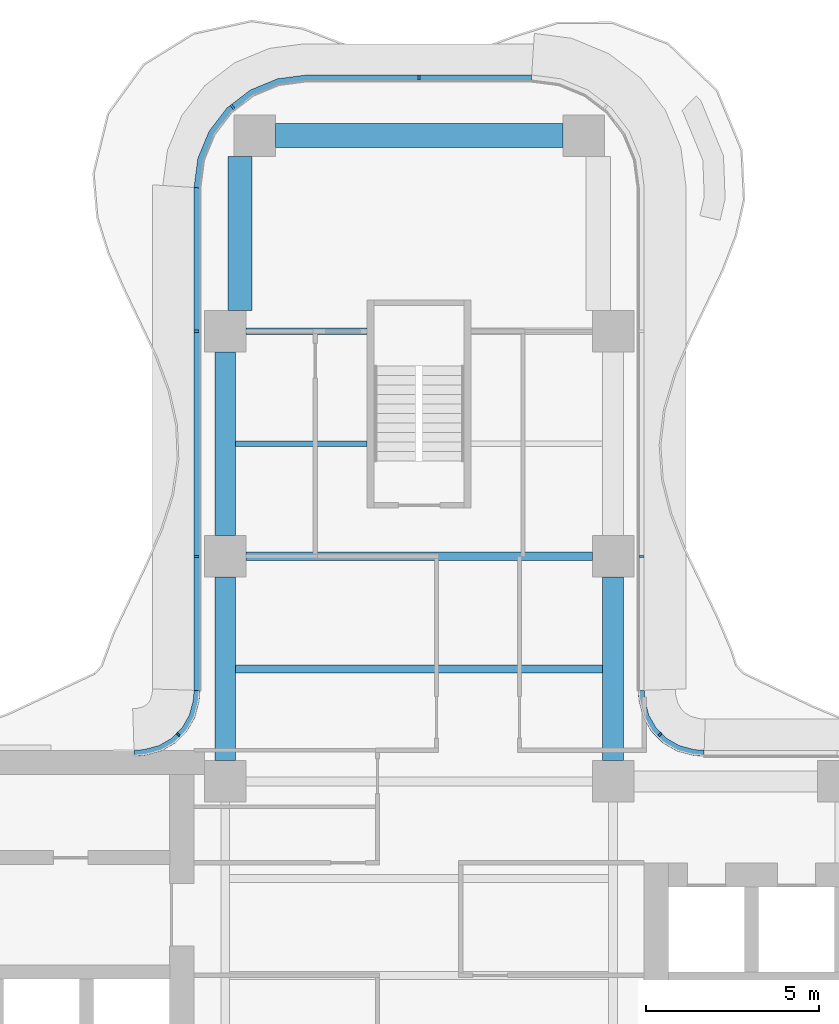
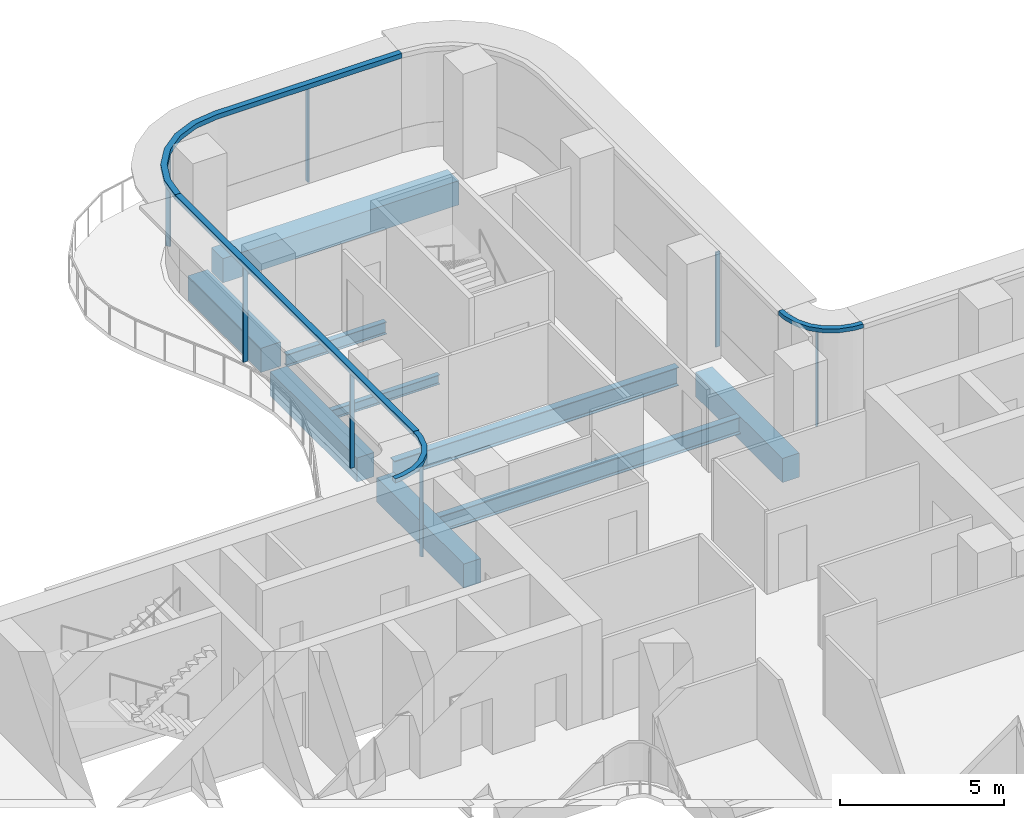
# One storey, part 7 of 17: 11 members, 9 beams, 5 elements without a shape of their own.
"""IFC4 building model written with IfcOpenShell, lengths in metres."""

from ifc_helpers import new_model, si_unit, direction, frame, origin, origin_2d, place, context, subcontext, project, spatial, polyline, rectangle, i_section, outline, extrude, source, transform, mapped, material, layer, layer_set, material_profile, profile_set, type_object, element, aggregate, save


model = new_model("IFC4")

# Units and contexts
model_context = context("Model", 3, precision=1e-05, world=origin(), true_north=direction((0.0, 1.0)))
body_context = subcontext(model_context, "Body", "Model", "MODEL_VIEW")
ifc_project = project(units=[si_unit("LENGTHUNIT", "METRE"), si_unit("AREAUNIT", "SQUARE_METRE"), si_unit("VOLUMEUNIT", "CUBIC_METRE"), si_unit("PLANEANGLEUNIT", "RADIAN"), si_unit("MASSUNIT", "GRAM", prefix="KILO")], contexts=[model_context])

# Site, building, storey
site_placement = place(None, origin())
site = spatial("IfcSite", under=ifc_project, at=site_placement, CompositionType="ELEMENT")
building_placement = place(site_placement, origin())
building = spatial("IfcBuilding", under=site, at=building_placement, Name="Trellis Farm Tower", CompositionType="ELEMENT")
storey_placement = place(building_placement, frame((0.0, 0.0, 162.0)))
storey = spatial("IfcBuildingStorey", under=building, at=storey_placement, Name="L34", CompositionType="ELEMENT", Elevation=162.0)

# Beams
ifc_material_1 = material(Name="Steel S355", Category="steel")
ifc_material_profile_1 = material_profile(ifc_material_1, i_section(OverallWidth=0.1904296875, OverallDepth=0.45703125, WebThickness=0.009033203125, FlangeThickness=0.014404296875, FilletRadius=0.01025390625, at=origin_2d()), Name="UB 457x191x74")
ifc_profile_set_1 = profile_set([ifc_material_profile_1], Name="Steel S355")
beam_type_1 = type_object("IfcBeamType", Name="UB 457x191x74", PredefinedType="BEAM", material=ifc_profile_set_1)
shared_shape_1 = source(origin(), body_context, "Body", "SweptSolid", [
    extrude(i_section(OverallWidth=0.1904296875, OverallDepth=0.45703125, WebThickness=0.009033203125, FlangeThickness=0.014404296875, FilletRadius=0.01025390625, at=origin_2d()), origin(), (0.0, 0.0, 1.0), 3.5),
])
beam_1_placement = place(storey_placement, frame((-5.0, 18.60009765625, -0.428466796875), z_axis=(1.0, 0.0, 0.0), x_axis=(0.0, 1.0, 0.0)))
element("IfcBeam", 1, at=beam_1_placement, inside=storey, type_object=beam_type_1, Name="Girder", PredefinedType="BEAM", context=body_context, shape_type="MappedRepresentation", body=[
    mapped(shared_shape_1, transform((0.0, 0.0, 0.0))),
])
ifc_material_2 = material(Name="Concrete C60/75", Category="concrete")
ifc_material_profile_2 = material_profile(ifc_material_2, rectangle(XDim=0.60009765625, YDim=0.89990234375, at=origin_2d()), Name="RC spandrel beam 600x900 C60/75")
ifc_profile_set_2 = profile_set([ifc_material_profile_2], Name="Concrete C60/75")
beam_type_2 = type_object("IfcBeamType", Name="RC spandrel beam 600x900 C60/75", PredefinedType="SPANDREL", material=ifc_profile_set_2)
shared_shape_2 = source(origin(), body_context, "Body", "SweptSolid", [
    extrude(rectangle(XDim=0.60009765625, YDim=0.89990234375, at=origin_2d()), origin(), (0.0, 0.0, 1.0), 5.300048828125),
])
for number, where, z_axis, x_axis, name in (
    (2, (-5.60009765625, 6.199951171875, -0.64990234375), (0.0, 1.0, 0.0), (-1.0, 0.0, 0.0), "Girder"),
    (3, (-5.60009765625, 12.699951171875, -0.64990234375), (0.0, 1.0, 0.0), (-1.0, 0.0, 0.0), "Girder"),
    (4, (5.60009765625, 6.199951171875, -0.64990234375), (0.0, 1.0, 0.0), (-1.0, 0.0, 0.0), "Girder"),
):
    element("IfcBeam", number, at=place(storey_placement, frame(where, z_axis=z_axis, x_axis=x_axis)), inside=storey, type_object=beam_type_2, Name=name, PredefinedType="SPANDREL", context=body_context, shape_type="MappedRepresentation", body=[
        mapped(shared_shape_2, transform((0.0, 0.0, 0.0))),
    ])
ifc_material_profile_3 = material_profile(ifc_material_1, i_section(OverallWidth=0.253662109375, OverallDepth=0.68359375, WebThickness=0.012451171875, FlangeThickness=0.021728515625, FilletRadius=0.01513671875, at=origin_2d()), Name="UB 686x254x140")
ifc_profile_set_3 = profile_set([ifc_material_profile_3], Name="Steel S355")
beam_type_3 = type_object("IfcBeamType", Name="UB 686x254x140", PredefinedType="BEAM", material=ifc_profile_set_3)
shared_shape_3 = source(origin(), body_context, "Body", "SweptSolid", [
    extrude(i_section(OverallWidth=0.253662109375, OverallDepth=0.68359375, WebThickness=0.012451171875, FlangeThickness=0.021728515625, FilletRadius=0.01513671875, at=origin_2d()), origin(), (0.0, 0.0, 1.0), 10.0),
])
beam_2_placement = place(storey_placement, frame((-5.0, 12.10009765625, -0.541748046875), z_axis=(1.0, 0.0, 0.0), x_axis=(0.0, 1.0, 0.0)))
element("IfcBeam", 5, at=beam_2_placement, inside=storey, type_object=beam_type_3, Name="Girder", PredefinedType="BEAM", context=body_context, shape_type="MappedRepresentation", body=[
    mapped(shared_shape_3, transform((0.0, 0.0, 0.0))),
])
ifc_material_profile_4 = material_profile(ifc_material_2, rectangle(XDim=0.699951171875, YDim=0.89990234375, at=origin_2d()), Name="RC spandrel beam 700x900 C60/75")
ifc_profile_set_4 = profile_set([ifc_material_profile_4], Name="Concrete C60/75")
beam_type_4 = type_object("IfcBeamType", Name="RC spandrel beam 700x900 C60/75", PredefinedType="SPANDREL", material=ifc_profile_set_4)
shared_shape_4 = source(origin(), body_context, "Body", "SweptSolid", [
    extrude(rectangle(XDim=0.699951171875, YDim=0.89990234375, at=origin_2d()), origin(), (0.0, 0.0, 1.0), 8.2998046875),
])
beam_3_placement = place(storey_placement, frame((-4.14990234375, 24.25, -0.64990234375), z_axis=(1.0, 0.0, 0.0), x_axis=(0.0, 1.0, 0.0)))
element("IfcBeam", 6, at=beam_3_placement, inside=storey, type_object=beam_type_4, Name="Girder", PredefinedType="SPANDREL", context=body_context, shape_type="MappedRepresentation", body=[
    mapped(shared_shape_4, transform((0.0, 0.0, 0.0))),
])
shared_shape_5 = source(origin(), body_context, "Body", "SweptSolid", [
    extrude(rectangle(XDim=0.699951171875, YDim=0.89990234375, at=origin_2d()), origin(), (0.0, 0.0, 1.0), 4.449951171875),
])
beam_4_placement = place(storey_placement, frame((-5.175048828125, 19.199951171875, -0.64990234375), z_axis=(0.0, 1.0, 0.0), x_axis=(-1.0, 0.0, 0.0)))
element("IfcBeam", 7, at=beam_4_placement, inside=storey, type_object=beam_type_4, Name="Girder", PredefinedType="SPANDREL", context=body_context, shape_type="MappedRepresentation", body=[
    mapped(shared_shape_5, transform((0.0, 0.0, 0.0))),
])
ifc_material_profile_5 = material_profile(ifc_material_1, i_section(OverallWidth=0.17138671875, OverallDepth=0.35498046875, WebThickness=0.00732421875, FlangeThickness=0.011474609375, FilletRadius=0.01025390625, at=origin_2d()), Name="UB 356x171x51")
ifc_profile_set_5 = profile_set([ifc_material_profile_5], Name="Steel S355")
beam_type_5 = type_object("IfcBeamType", Name="UB 356x171x51 joist", PredefinedType="JOIST", material=ifc_profile_set_5)
shared_shape_6 = source(origin(), body_context, "Body", "SweptSolid", [
    extrude(i_section(OverallWidth=0.17138671875, OverallDepth=0.35498046875, WebThickness=0.00732421875, FlangeThickness=0.011474609375, FilletRadius=0.01025390625, at=origin_2d()), origin(), (0.0, 0.0, 1.0), 3.800048828125),
])
beam_5_placement = place(storey_placement, frame((-5.300048828125, 15.35009765625, -0.37744140625), z_axis=(1.0, 0.0, 0.0), x_axis=(0.0, 1.0, 0.0)))
element("IfcBeam", 8, at=beam_5_placement, inside=storey, type_object=beam_type_5, Name="Floor beam", PredefinedType="JOIST", context=body_context, shape_type="MappedRepresentation", body=[
    mapped(shared_shape_6, transform((0.0, 0.0, 0.0))),
])
ifc_material_profile_6 = material_profile(ifc_material_1, i_section(OverallWidth=0.22900390625, OverallDepth=0.6123046875, WebThickness=0.011962890625, FlangeThickness=0.01953125, FilletRadius=0.0126953125, at=origin_2d()), Name="UB 610x229x125")
ifc_profile_set_6 = profile_set([ifc_material_profile_6], Name="Steel S355")
beam_type_6 = type_object("IfcBeamType", Name="UB 610x229x125 joist", PredefinedType="JOIST", material=ifc_profile_set_6)
shared_shape_7 = source(origin(), body_context, "Body", "SweptSolid", [
    extrude(i_section(OverallWidth=0.22900390625, OverallDepth=0.6123046875, WebThickness=0.011962890625, FlangeThickness=0.01953125, FilletRadius=0.0126953125, at=origin_2d()), origin(), (0.0, 0.0, 1.0), 10.60009765625),
])
beam_6_placement = place(storey_placement, frame((-5.300048828125, 8.85009765625, -0.506103515625), z_axis=(1.0, 0.0, 0.0), x_axis=(0.0, 1.0, 0.0)))
element("IfcBeam", 9, at=beam_6_placement, inside=storey, type_object=beam_type_6, Name="Floor beam", PredefinedType="JOIST", context=body_context, shape_type="MappedRepresentation", body=[
    mapped(shared_shape_7, transform((0.0, 0.0, 0.0))),
])

# Curtain wall, member
ifc_material_3 = material(Name="Aluminium and glass curtain wall", Category="aluminium")
ifc_layer_1 = layer(ifc_material_3, 0.166015625)
ifc_layer_set_1 = layer_set([ifc_layer_1], Name="WINTER GARDEN CURTAIN WALL CW3")
curtain_wall_type_1 = type_object("IfcCurtainWallType", Name="WINTER GARDEN CURTAIN WALL CW3", PredefinedType="NOTDEFINED", material=ifc_layer_set_1)
placement_1 = place(storey_placement, origin())
curtain_wall_1 = element("IfcCurtainWall", 10, at=placement_1, inside=storey, type_object=curtain_wall_type_1, Name="CW3 003", PredefinedType="NOTDEFINED")
ifc_material_4 = material(Name="Aluminium extrusion 6063-T6", Category="aluminium")
ifc_layer_2 = layer(ifc_material_4, 0.169921875)
ifc_layer_set_2 = layer_set([ifc_layer_2], Name="Aluminium extrusion 6063-T6")
member_type_1 = type_object("IfcMemberType", Name="CW3 TRANSOM 170x150", PredefinedType="USERDEFINED", material=ifc_layer_set_2)
shared_shape_8 = source(origin(), body_context, "Body", "SweptSolid", [
    extrude(outline(polyline([(8.2314453125, 6.5), (8.01953125, 6.513916015625), (7.91552734375, 6.527587890625), (7.508544921875, 6.63671875), (7.144287109375, 6.846923828125), (6.846923828125, 7.144287109375), (6.63671875, 7.508544921875), (6.527587890625, 7.91552734375), (6.513916015625, 8.01953125), (6.5, 8.2314453125), (6.330078125, 8.225830078125), (6.3447265625, 8.0029296875), (6.360595703125, 7.88232421875), (6.478271484375, 7.44287109375), (6.7109375, 7.0400390625), (7.0400390625, 6.7109375), (7.44287109375, 6.478271484375), (7.88232421875, 6.360595703125), (8.0029296875, 6.3447265625), (8.225830078125, 6.330078125), (8.2314453125, 6.5)])), origin(), (0.0, 0.0, 1.0), 0.14990234375),
])
placement_2 = place(storey_placement, frame((0.0, 0.0, 3.550048828125)))
member_1 = element("IfcMember", 11, at=placement_2, type_object=member_type_1, Name="TR3 003", ObjectType="TRANSOM", PredefinedType="USERDEFINED", context=body_context, shape_type="MappedRepresentation", body=[
    mapped(shared_shape_8, transform((0.0, 0.0, 0.0))),
])

curtain_wall_2 = element("IfcCurtainWall", 12, at=placement_1, inside=storey, type_object=curtain_wall_type_1, Name="CW3 004", PredefinedType="NOTDEFINED")
shared_shape_9 = source(origin(), body_context, "Body", "SweptSolid", [
    extrude(outline(polyline([(-6.5, 8.2314453125), (-6.513916015625, 8.01953125), (-6.527587890625, 7.91552734375), (-6.63671875, 7.508544921875), (-6.846923828125, 7.144287109375), (-7.144287109375, 6.846923828125), (-7.508544921875, 6.63671875), (-7.91552734375, 6.527587890625), (-8.01953125, 6.513916015625), (-8.2314453125, 6.5), (-8.225830078125, 6.330078125), (-8.0029296875, 6.3447265625), (-7.88232421875, 6.360595703125), (-7.44287109375, 6.478271484375), (-7.0400390625, 6.7109375), (-6.7109375, 7.0400390625), (-6.478271484375, 7.44287109375), (-6.360595703125, 7.88232421875), (-6.3447265625, 8.0029296875), (-6.330078125, 8.225830078125), (-6.5, 8.2314453125)])), origin(), (0.0, 0.0, 1.0), 0.14990234375),
])
member_2 = element("IfcMember", 13, at=placement_2, type_object=member_type_1, Name="TR3 004", ObjectType="TRANSOM", PredefinedType="USERDEFINED", context=body_context, shape_type="MappedRepresentation", body=[
    mapped(shared_shape_9, transform((0.0, 0.0, 0.0))),
])

ifc_layer_3 = layer(ifc_material_3, 0.18994140625)
ifc_layer_set_3 = layer_set([ifc_layer_3], Name="RIBBON CURTAIN WALL CW1")
curtain_wall_type_2 = type_object("IfcCurtainWallType", Name="RIBBON CURTAIN WALL CW1", PredefinedType="NOTDEFINED", material=ifc_layer_set_3)
curtain_wall_3 = element("IfcCurtainWall", 14, at=placement_1, inside=storey, type_object=curtain_wall_type_2, Name="CW1 011", PredefinedType="NOTDEFINED")
ifc_layer_4 = layer(ifc_material_4, 0.199951171875)
ifc_layer_set_4 = layer_set([ifc_layer_4], Name="Aluminium extrusion 6063-T6")
member_type_2 = type_object("IfcMemberType", Name="CW1 TRANSOM 200x180", PredefinedType="USERDEFINED", material=ifc_layer_set_4)
shared_shape_10 = source(origin(), body_context, "Body", "SweptSolid", [
    extrude(outline(polyline([(-6.5, 22.75), (-6.5, 8.2314453125), (-6.300048828125, 8.224853515625), (-6.300048828125, 22.73681640625), (-6.5, 22.75)])), origin(), (0.0, 0.0, 1.0), 0.179931640625),
])
placement_3 = place(storey_placement, frame((0.0, 0.0, 3.52001953125)))
member_3 = element("IfcMember", 15, at=placement_3, type_object=member_type_2, Name="TR1 011", ObjectType="TRANSOM", PredefinedType="USERDEFINED", context=body_context, shape_type="MappedRepresentation", body=[
    mapped(shared_shape_10, transform((0.0, 0.0, 0.0))),
])

curtain_wall_4 = element("IfcCurtainWall", 16, at=placement_1, inside=storey, type_object=curtain_wall_type_2, Name="CW1 010", PredefinedType="NOTDEFINED")
shared_shape_11 = source(origin(), body_context, "Body", "SweptSolid", [
    extrude(outline(polyline([(3.25, 26.0), (-3.25, 26.0), (-4.091064453125, 25.88916015625), (-4.875, 25.564697265625), (-5.548095703125, 25.048095703125), (-6.064697265625, 24.375), (-6.38916015625, 23.591064453125), (-6.5, 22.75), (-6.300048828125, 22.73681640625), (-6.1943359375, 23.5390625), (-5.889892578125, 24.274169921875), (-5.405517578125, 24.905517578125), (-4.774169921875, 25.389892578125), (-4.0390625, 25.6943359375), (-3.23681640625, 25.800048828125), (3.23681640625, 25.800048828125), (3.25, 26.0)])), origin(), (0.0, 0.0, 1.0), 0.179931640625),
])
member_4 = element("IfcMember", 17, at=placement_3, type_object=member_type_2, Name="TR1 010", ObjectType="TRANSOM", PredefinedType="USERDEFINED", context=body_context, shape_type="MappedRepresentation", body=[
    mapped(shared_shape_11, transform((0.0, 0.0, 0.0))),
])

curtain_wall_5 = element("IfcCurtainWall", 18, at=placement_1, inside=storey, type_object=curtain_wall_type_2, Name="CW1 009", PredefinedType="NOTDEFINED")
ifc_material_profile_7 = material_profile(ifc_material_4, rectangle(XDim=0.06005859375, YDim=0.14990234375, at=origin_2d()), Name="MULLION 60x150")
ifc_profile_set_7 = profile_set([ifc_material_profile_7], Name="Aluminium extrusion 6063-T6")
member_type_3 = type_object("IfcMemberType", Name="CW1 MULLION 60x150", PredefinedType="MULLION", material=ifc_profile_set_7)
shared_shape_12 = source(origin(), body_context, "Body", "SweptSolid", [
    extrude(rectangle(XDim=0.06005859375, YDim=0.14990234375, at=origin_2d()), origin(), (0.0, 0.0, 1.0), 3.52001953125),
])
member_5_placement = place(storey_placement, frame((6.425048828125, 12.10009765625, 0.0), z_axis=(0.0, 0.0, 1.0), x_axis=(0.0, 1.0, 0.0)))
member_5 = element("IfcMember", 19, at=member_5_placement, type_object=member_type_3, Name="MU1 009-01", PredefinedType="MULLION", context=body_context, shape_type="MappedRepresentation", body=[
    mapped(shared_shape_12, transform((0.0, 0.0, 0.0))),
])
aggregate(curtain_wall_5, [member_5])

# Member
member_6_placement = place(storey_placement, frame((0.0, 25.925048828125, 0.0), z_axis=(0.0, 0.0, 1.0), x_axis=(-1.0, 0.0, 0.0)))
member_6 = element("IfcMember", 20, at=member_6_placement, type_object=member_type_3, Name="MU1 010-01", PredefinedType="MULLION", context=body_context, shape_type="MappedRepresentation", body=[
    mapped(shared_shape_12, transform((0.0, 0.0, 0.0))),
])

member_7_placement = place(storey_placement, frame((-5.385498046875, 25.078369140625, 0.0), z_axis=(0.0, 0.0, 1.0), x_axis=(-0.793353340291, -0.608761429009, 0.0)))
member_7 = element("IfcMember", 21, at=member_7_placement, type_object=member_type_3, Name="MU1 010-02", PredefinedType="MULLION", context=body_context, shape_type="MappedRepresentation", body=[
    mapped(shared_shape_12, transform((0.0, 0.0, 0.0))),
])

aggregate(curtain_wall_4, [member_6, member_7, member_4])

member_8_placement = place(storey_placement, frame((-6.425048828125, 18.60009765625, 0.0), z_axis=(0.0, 0.0, 1.0), x_axis=(0.0, -1.0, 0.0)))
member_8 = element("IfcMember", 22, at=member_8_placement, type_object=member_type_3, Name="MU1 011-01", PredefinedType="MULLION", context=body_context, shape_type="MappedRepresentation", body=[
    mapped(shared_shape_12, transform((0.0, 0.0, 0.0))),
])

member_9_placement = place(storey_placement, frame((-6.425048828125, 12.10009765625, 0.0), z_axis=(0.0, 0.0, 1.0), x_axis=(0.0, -1.0, 0.0)))
member_9 = element("IfcMember", 23, at=member_9_placement, type_object=member_type_3, Name="MU1 011-02", PredefinedType="MULLION", context=body_context, shape_type="MappedRepresentation", body=[
    mapped(shared_shape_12, transform((0.0, 0.0, 0.0))),
])

aggregate(curtain_wall_3, [member_8, member_9, member_3])

ifc_material_profile_8 = material_profile(ifc_material_4, rectangle(XDim=0.050048828125, YDim=0.1201171875, at=origin_2d()), Name="MULLION 50x120")
ifc_profile_set_8 = profile_set([ifc_material_profile_8], Name="Aluminium extrusion 6063-T6")
member_type_4 = type_object("IfcMemberType", Name="CW3 MULLION 50x120", PredefinedType="MULLION", material=ifc_profile_set_8)
shared_shape_13 = source(origin(), body_context, "Body", "SweptSolid", [
    extrude(rectangle(XDim=0.050048828125, YDim=0.1201171875, at=origin_2d()), origin(), (0.0, 0.0, 1.0), 3.550048828125),
])
member_10_placement = place(storey_placement, frame((6.953125, 6.953125, 0.0), z_axis=(0.0, 0.0, 1.0), x_axis=(-0.707106781187, 0.707106781187, 0.0)))
member_10 = element("IfcMember", 24, at=member_10_placement, type_object=member_type_4, Name="MU3 003-01", PredefinedType="MULLION", context=body_context, shape_type="MappedRepresentation", body=[
    mapped(shared_shape_13, transform((0.0, 0.0, 0.0))),
])

aggregate(curtain_wall_1, [member_10, member_1])

member_11_placement = place(storey_placement, frame((-6.953125, 6.953125, 0.0), z_axis=(0.0, 0.0, 1.0), x_axis=(-0.707106781187, -0.707106781187, 0.0)))
member_11 = element("IfcMember", 25, at=member_11_placement, type_object=member_type_4, Name="MU3 004-01", PredefinedType="MULLION", context=body_context, shape_type="MappedRepresentation", body=[
    mapped(shared_shape_13, transform((0.0, 0.0, 0.0))),
])

aggregate(curtain_wall_2, [member_11, member_2])

save(model, "model.ifc")
